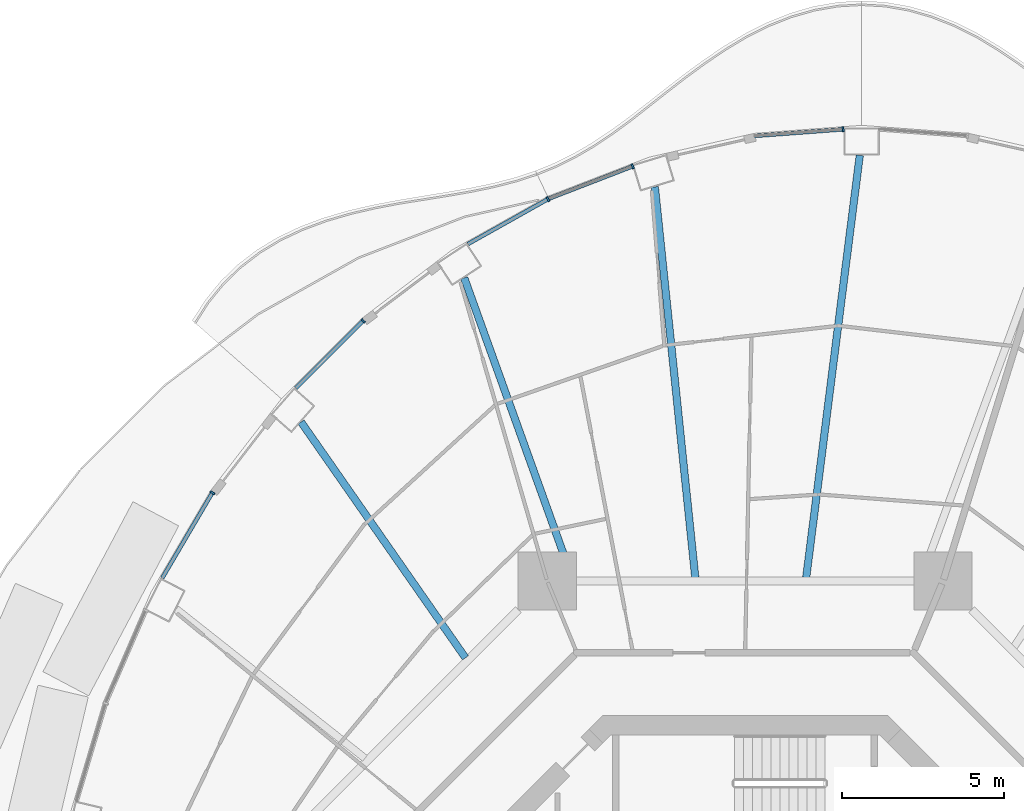
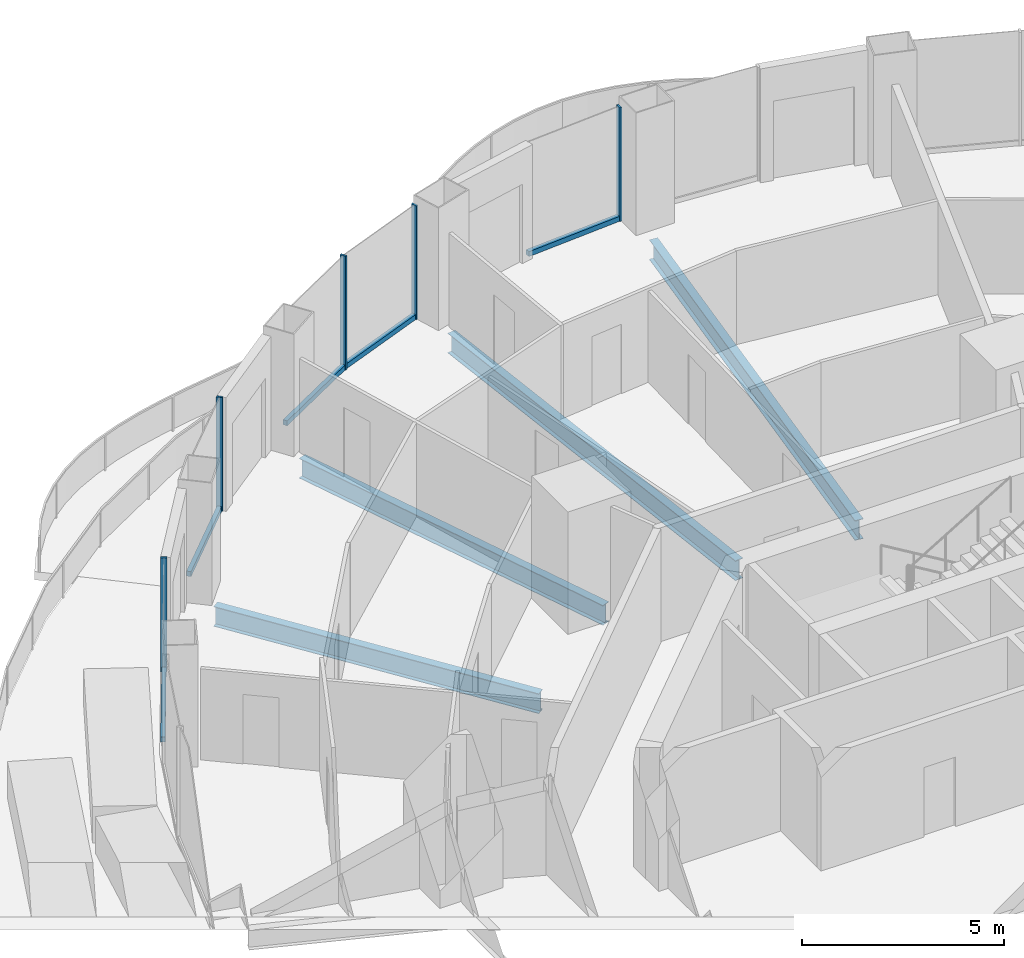
# One storey, part 7 of 20: 10 members, 4 beams, 5 elements without a shape of their own.
"""IFC4 building model written with IfcOpenShell, lengths in metres."""

from ifc_helpers import new_model, si_unit, direction, frame, origin, origin_2d, place, context, subcontext, project, spatial, rectangle, i_section, extrude, material, layer, layer_set, material_profile, profile_set, type_object, element, aggregate, save


model = new_model("IFC4")

# Units and contexts
model_context = context("Model", 3, precision=1e-05, world=origin(), true_north=direction((0.0, 1.0)))
body_context = subcontext(model_context, "Body", "Model", "MODEL_VIEW")
ifc_project = project(units=[si_unit("LENGTHUNIT", "METRE"), si_unit("AREAUNIT", "SQUARE_METRE"), si_unit("VOLUMEUNIT", "CUBIC_METRE"), si_unit("PLANEANGLEUNIT", "RADIAN"), si_unit("MASSUNIT", "GRAM", prefix="KILO")], contexts=[model_context])

# Site, building, storey
site_placement = place(None, origin())
site = spatial("IfcSite", under=ifc_project, at=site_placement, CompositionType="ELEMENT")
building_placement = place(site_placement, origin())
building = spatial("IfcBuilding", under=site, at=building_placement, Name="Nagisa Residences", CompositionType="ELEMENT")
storey_placement = place(building_placement, frame((0.0, 0.0, 165.89990234375)))
storey = spatial("IfcBuildingStorey", under=building, at=storey_placement, Name="L41", CompositionType="ELEMENT", Elevation=165.89990234375)

# Curtain wall, member
ifc_material_1 = material(Name="Concrete-coloured aluminium curtain wall system", Category="concrete")
ifc_layer = layer(ifc_material_1, 0.159912109375)
ifc_layer_set = layer_set([ifc_layer], Name="CW1 CURTAIN WALL")
curtain_wall_type = type_object("IfcCurtainWallType", Name="CW1 CURTAIN WALL", PredefinedType="NOTDEFINED", material=ifc_layer_set)
curtain_wall_1_placement = place(storey_placement, origin())
curtain_wall_1 = element("IfcCurtainWall", 1, at=curtain_wall_1_placement, inside=storey, type_object=curtain_wall_type, Name="cw:CW1:L41:12", PredefinedType="NOTDEFINED")
ifc_material_2 = material(Name="Concrete-coloured aluminium", Category="concrete")
ifc_material_profile_1 = material_profile(ifc_material_2, rectangle(XDim=0.159912109375, YDim=0.06005859375, at=origin_2d()), Name="CW1 MULLION 160x60")
ifc_profile_set_1 = profile_set([ifc_material_profile_1], Name="Concrete-coloured aluminium")
member_type_1 = type_object("IfcMemberType", Name="CW1 MULLION 160x60", PredefinedType="MULLION", material=ifc_profile_set_1)
member_1_placement = place(storey_placement, frame((3.027587890625, 28.752197265625, 0.0), z_axis=(0.0, 0.0, 1.0), x_axis=(0.074377355493, -0.997230168512, 0.0)))
member_1 = element("IfcMember", 2, at=member_1_placement, type_object=member_type_1, Name="CW1 mullion", PredefinedType="MULLION", context=body_context, shape_type="SweptSolid", body=[
    extrude(rectangle(XDim=0.159912109375, YDim=0.06005859375, at=origin_2d()), origin(), (0.0, 0.0, 1.0), 3.440185546875),
])

curtain_wall_2_placement = place(storey_placement, origin())
curtain_wall_2 = element("IfcCurtainWall", 3, at=curtain_wall_2_placement, inside=storey, type_object=curtain_wall_type, Name="cw:CW1:L41:14", PredefinedType="NOTDEFINED")
member_2_placement = place(storey_placement, frame((-3.479736328125, 27.607421875, 0.0), z_axis=(0.0, 0.0, 1.0), x_axis=(0.360327770268, -0.932825759707, 0.0)))
member_2 = element("IfcMember", 4, at=member_2_placement, type_object=member_type_1, Name="CW1 mullion", PredefinedType="MULLION", context=body_context, shape_type="SweptSolid", body=[
    extrude(rectangle(XDim=0.159912109375, YDim=0.06005859375, at=origin_2d()), origin(), (0.0, 0.0, 1.0), 3.440185546875),
])

curtain_wall_3_placement = place(storey_placement, origin())
curtain_wall_3 = element("IfcCurtainWall", 5, at=curtain_wall_3_placement, inside=storey, type_object=curtain_wall_type, Name="cw:CW1:L41:15", PredefinedType="NOTDEFINED")
member_3_placement = place(storey_placement, frame((-6.09765625, 26.592529296875, 0.0), z_axis=(0.0, 0.0, 1.0), x_axis=(0.489376918501, -0.872072377523, 0.0)))
member_3 = element("IfcMember", 6, at=member_3_placement, type_object=member_type_1, Name="CW1 mullion", PredefinedType="MULLION", context=body_context, shape_type="SweptSolid", body=[
    extrude(rectangle(XDim=0.159912109375, YDim=0.06005859375, at=origin_2d()), origin(), (0.0, 0.0, 1.0), 3.440185546875),
])

curtain_wall_4_placement = place(storey_placement, origin())
curtain_wall_4 = element("IfcCurtainWall", 7, at=curtain_wall_4_placement, inside=storey, type_object=curtain_wall_type, Name="cw:CW1:L41:17", PredefinedType="NOTDEFINED")
member_4_placement = place(storey_placement, frame((-11.81201171875, 22.830322265625, 0.0), z_axis=(0.0, 0.0, 1.0), x_axis=(0.706376885714, -0.707835924016, 0.0)))
member_4 = element("IfcMember", 8, at=member_4_placement, type_object=member_type_1, Name="CW1 mullion", PredefinedType="MULLION", context=body_context, shape_type="SweptSolid", body=[
    extrude(rectangle(XDim=0.159912109375, YDim=0.06005859375, at=origin_2d()), origin(), (0.0, 0.0, 1.0), 3.440185546875),
])

curtain_wall_5_placement = place(storey_placement, origin())
curtain_wall_5 = element("IfcCurtainWall", 9, at=curtain_wall_5_placement, inside=storey, type_object=curtain_wall_type, Name="cw:CW1:L41:19", PredefinedType="NOTDEFINED")
member_5_placement = place(storey_placement, frame((-16.4775390625, 17.51171875, 0.0), z_axis=(0.0, 0.0, 1.0), x_axis=(0.862328898214, -0.506348567002, 0.0)))
member_5 = element("IfcMember", 10, at=member_5_placement, type_object=member_type_1, Name="CW1 mullion", PredefinedType="MULLION", context=body_context, shape_type="SweptSolid", body=[
    extrude(rectangle(XDim=0.159912109375, YDim=0.06005859375, at=origin_2d()), origin(), (0.0, 0.0, 1.0), 3.440185546875),
])

# Member
ifc_material_3 = material(Name="Concrete-coloured aluminium", Category="concrete")
ifc_material_profile_2 = material_profile(ifc_material_3, rectangle(XDim=0.1201171875, YDim=0.14990234375, at=origin_2d()), Name="CW1 TRANSOM 120x150")
ifc_profile_set_2 = profile_set([ifc_material_profile_2], Name="Concrete-coloured aluminium")
member_type_2 = type_object("IfcMemberType", Name="CW1 TRANSOM 120x150", PredefinedType="USERDEFINED", material=ifc_profile_set_2)
member_6_placement = place(storey_placement, frame((3.057373046875, 28.75439453125, 0.0751953125), z_axis=(-0.99722504052, -0.074446078208, 0.0), x_axis=(0.074446078208, -0.99722504052, 0.0)))
member_6 = element("IfcMember", 11, at=member_6_placement, type_object=member_type_2, Name="CW1 transom", ObjectType="TRANSOM", PredefinedType="USERDEFINED", context=body_context, shape_type="SweptSolid", body=[
    extrude(rectangle(XDim=0.1201171875, YDim=0.14990234375, at=origin_2d()), origin(), (0.0, 0.0, 1.0), 2.77099609375),
])

aggregate(curtain_wall_1, [member_1, member_6])

member_7_placement = place(storey_placement, frame((-3.45166015625, 27.618408203125, 0.0751953125), z_axis=(-0.932806734513, -0.360377019311, 0.0), x_axis=(0.360377019311, -0.932806734513, 0.0)))
member_7 = element("IfcMember", 12, at=member_7_placement, type_object=member_type_2, Name="CW1 transom", ObjectType="TRANSOM", PredefinedType="USERDEFINED", context=body_context, shape_type="SweptSolid", body=[
    extrude(rectangle(XDim=0.1201171875, YDim=0.14990234375, at=origin_2d()), origin(), (0.0, 0.0, 1.0), 2.819580078125),
])

aggregate(curtain_wall_2, [member_2, member_7])

member_8_placement = place(storey_placement, frame((-6.071533203125, 26.607177734375, 0.0751953125), z_axis=(-0.872057843239, -0.489402817774, 0.0), x_axis=(0.489402817774, -0.872057843239, 0.0)))
member_8 = element("IfcMember", 13, at=member_8_placement, type_object=member_type_2, Name="CW1 transom", ObjectType="TRANSOM", PredefinedType="USERDEFINED", context=body_context, shape_type="SweptSolid", body=[
    extrude(rectangle(XDim=0.1201171875, YDim=0.14990234375, at=origin_2d()), origin(), (0.0, 0.0, 1.0), 2.863525390625),
])

aggregate(curtain_wall_3, [member_3, member_8])

member_9_placement = place(storey_placement, frame((-11.790771484375, 22.8515625, 0.0751953125), z_axis=(-0.707803821372, -0.706409053206, 0.0), x_axis=(0.706409053206, -0.707803821372, 0.0)))
member_9 = element("IfcMember", 14, at=member_9_placement, type_object=member_type_2, Name="CW1 transom", ObjectType="TRANSOM", PredefinedType="USERDEFINED", context=body_context, shape_type="SweptSolid", body=[
    extrude(rectangle(XDim=0.1201171875, YDim=0.14990234375, at=origin_2d()), origin(), (0.0, 0.0, 1.0), 2.9755859375),
])

aggregate(curtain_wall_4, [member_4, member_9])

member_10_placement = place(storey_placement, frame((-16.46240234375, 17.53759765625, 0.0751953125), z_axis=(-0.506309086483, -0.862352079458, 0.0), x_axis=(0.862352079458, -0.506309086483, 0.0)))
member_10 = element("IfcMember", 15, at=member_10_placement, type_object=member_type_2, Name="CW1 transom", ObjectType="TRANSOM", PredefinedType="USERDEFINED", context=body_context, shape_type="SweptSolid", body=[
    extrude(rectangle(XDim=0.1201171875, YDim=0.14990234375, at=origin_2d()), origin(), (0.0, 0.0, 1.0), 3.091796875),
])

aggregate(curtain_wall_5, [member_5, member_10])

# Beams
ifc_material_4 = material(Name="Steel ASTM A572 Gr 50", Category="steel")
ifc_material_profile_3 = material_profile(ifc_material_4, i_section(OverallWidth=0.22802734375, OverallDepth=0.60302734375, WebThickness=0.010498046875, FlangeThickness=0.014892578125, at=origin_2d()), Name="W610x101")
ifc_profile_set_3 = profile_set([ifc_material_profile_3], Name="Steel ASTM A572 Gr 50")
beam_type = type_object("IfcBeamType", Name="Radial beam W610x101", PredefinedType="BEAM", material=ifc_profile_set_3)
beam_1_placement = place(storey_placement, frame((3.54541015625, 27.94482421875, -0.5615234375), z_axis=(-0.12587024, -0.992046713962, 0.0), x_axis=(0.992046713962, -0.12587024, 0.0)))
element("IfcBeam", 16, at=beam_1_placement, inside=storey, type_object=beam_type, Name="beam:L41:rb07", PredefinedType="BEAM", context=body_context, shape_type="SweptSolid", body=[
    extrude(i_section(OverallWidth=0.22802734375, OverallDepth=0.60302734375, WebThickness=0.010498046875, FlangeThickness=0.014892578125, at=origin_2d()), origin(), (0.0, 0.0, 1.0), 13.160400390625),
])
beam_2_placement = place(storey_placement, frame((-2.79296875, 26.971923828125, -0.5615234375), z_axis=(0.103003377525, -0.994681006262, 0.0), x_axis=(0.994681006262, 0.103003377525, 0.0)))
element("IfcBeam", 17, at=beam_2_placement, inside=storey, type_object=beam_type, Name="beam:L41:rb08", PredefinedType="BEAM", context=body_context, shape_type="SweptSolid", body=[
    extrude(i_section(OverallWidth=0.22802734375, OverallDepth=0.60302734375, WebThickness=0.010498046875, FlangeThickness=0.014892578125, at=origin_2d()), origin(), (0.0, 0.0, 1.0), 12.1474609375),
])
beam_3_placement = place(storey_placement, frame((-8.687744140625, 24.15673828125, -0.5615234375), z_axis=(0.33843062624, -0.940991344925, 0.0), x_axis=(0.940991344925, 0.33843062624, 0.0)))
element("IfcBeam", 18, at=beam_3_placement, inside=storey, type_object=beam_type, Name="beam:L41:rb09", PredefinedType="BEAM", context=body_context, shape_type="SweptSolid", body=[
    extrude(i_section(OverallWidth=0.22802734375, OverallDepth=0.60302734375, WebThickness=0.010498046875, FlangeThickness=0.014892578125, at=origin_2d()), origin(), (0.0, 0.0, 1.0), 9.84765625),
])
beam_4_placement = place(storey_placement, frame((-13.735595703125, 19.700439453125, -0.5615234375), z_axis=(0.571928173767, -0.820303702327, 0.0), x_axis=(0.820303702327, 0.571928173767, 0.0)))
element("IfcBeam", 19, at=beam_4_placement, inside=storey, type_object=beam_type, Name="beam:L41:rb10", PredefinedType="BEAM", context=body_context, shape_type="SweptSolid", body=[
    extrude(i_section(OverallWidth=0.22802734375, OverallDepth=0.60302734375, WebThickness=0.010498046875, FlangeThickness=0.014892578125, at=origin_2d()), origin(), (0.0, 0.0, 1.0), 8.891845703125),
])

save(model, "model.ifc")
